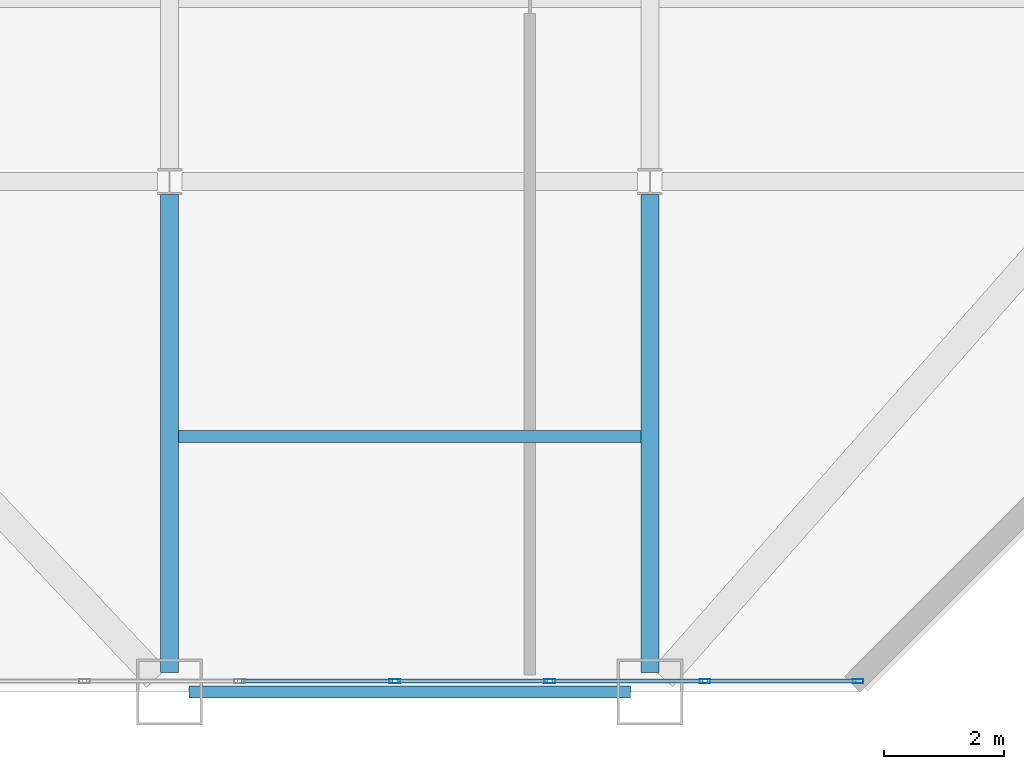
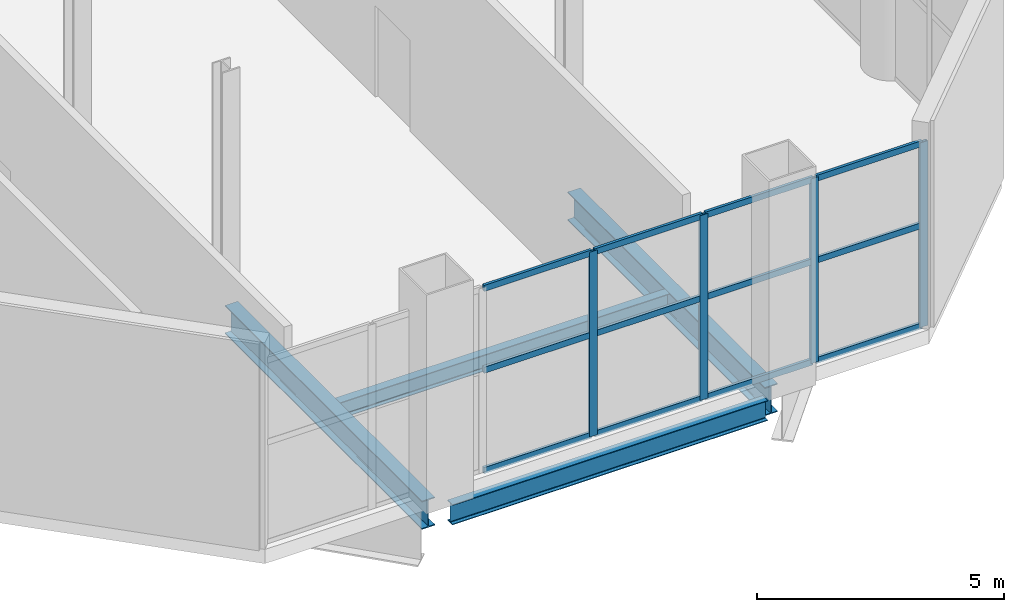
# One storey, part 7 of 26: 16 members, 4 beams, 1 element without a shape of its own.
"""IFC4 building model written with IfcOpenShell, lengths in metres."""

import ifcopenshell
import ifcopenshell.guid

model = None  # the IFC model being written
_history = None  # IfcOwnerHistory: only IFC2X3 demands one
_inside = {}  # id of a spatial element -> (the spatial element, [elements in it])
_under = {}  # id of a project, library or spatial element -> (it, [spatial elements below it])
_declared = {}  # id of a project -> (the project, [libraries it declares])
_typed = {}  # id of a type object -> (the type object, [elements of that type])
_made_of = {}  # id of a material, layer set ... -> (it, [elements and type objects made of it])


def new_model(schema):
    """Start an empty IFC model of exactly this schema.

    Asked for "IFC4X3", IfcOpenShell would pick the latest addendum, in which some entities
    have other attributes; the version numbers below select the first issue.
    IFC2X3 requires an IfcOwnerHistory on every rooted entity: one is made here for all.
    """
    global model, _history
    if schema == "IFC4X3":
        model = ifcopenshell.file(schema_version=(4, 3, 0, 0))
    else:
        model = ifcopenshell.file(schema=schema)
    _inside.clear()
    _under.clear()
    _declared.clear()
    _typed.clear()
    _made_of.clear()
    _history = None
    if model.schema == "IFC2X3":
        org = make("IfcOrganization", Name="unknown")
        user = make(
            "IfcPersonAndOrganization",
            ThePerson=make("IfcPerson", FamilyName="unknown"),
            TheOrganization=org,
        )
        app = make(
            "IfcApplication",
            ApplicationDeveloper=org,
            Version="unknown",
            ApplicationFullName="unknown",
            ApplicationIdentifier="unknown",
        )
        _history = make(
            "IfcOwnerHistory",
            OwningUser=user,
            OwningApplication=app,
            ChangeAction="ADDED",
            CreationDate=0,
        )
    return model


def make(cls, **values):
    """One entity of the class cls with the attributes given. An attribute that is None is left unset."""
    return model.create_entity(
        cls, **{name: value for name, value in values.items() if value is not None}
    )


def rooted(cls, **values):
    """An entity with a GlobalId (a new one), such as an element, a storey or a relation."""
    return make(cls, GlobalId=ifcopenshell.guid.new(), OwnerHistory=_history, **values)


def si_unit(unit_type, name, prefix=None):
    """IfcSIUnit, for example si_unit("LENGTHUNIT", "METRE", prefix="MILLI")."""
    return make("IfcSIUnit", UnitType=unit_type, Prefix=prefix, Name=name)


def assignment(units):
    """IfcUnitAssignment: the units of a project."""
    return None if units is None else make("IfcUnitAssignment", Units=units)


def point(xyz):
    """IfcCartesianPoint."""
    return None if xyz is None else make("IfcCartesianPoint", Coordinates=xyz)


def direction(xyz):
    """IfcDirection."""
    return None if xyz is None else make("IfcDirection", DirectionRatios=xyz)


def frame(location, z_axis=None, x_axis=None):
    """IfcAxis2Placement3D, a coordinate frame: its origin and axes. An axis left out is left unset."""
    return make(
        "IfcAxis2Placement3D",
        Location=point(location),
        Axis=direction(z_axis),
        RefDirection=direction(x_axis),
    )


def frame_2d(location, x_axis=None):
    """IfcAxis2Placement2D, a coordinate frame in the plane: its origin and x axis."""
    return make(
        "IfcAxis2Placement2D", Location=point(location), RefDirection=direction(x_axis)
    )


def origin():
    """The frame at (0, 0, 0) with its axes left unset."""
    return frame((0.0, 0.0, 0.0))


def origin_2d():
    """The frame at (0, 0) in the plane with its x axis left unset."""
    return frame_2d((0.0, 0.0))


def place(relative_to, where):
    """IfcLocalPlacement: puts the frame where relative to a parent placement (None: the world)."""
    return make(
        "IfcLocalPlacement", PlacementRelTo=relative_to, RelativePlacement=where
    )


def context(
    kind, dimensions, precision=None, world=None, true_north=None, identifier=None
):
    """IfcGeometricRepresentationContext, for example the 3D "Model" context."""
    return make(
        "IfcGeometricRepresentationContext",
        ContextIdentifier=identifier,
        ContextType=kind,
        CoordinateSpaceDimension=dimensions,
        Precision=precision,
        WorldCoordinateSystem=world,
        TrueNorth=true_north,
    )


def subcontext(parent, identifier, kind, view, scale=None):
    """IfcGeometricRepresentationSubContext, for example "Body" below "Model"."""
    return make(
        "IfcGeometricRepresentationSubContext",
        ContextIdentifier=identifier,
        ContextType=kind,
        ParentContext=parent,
        TargetScale=scale,
        TargetView=view,
    )


def project(units=None, contexts=None):
    """IfcProject with its units and contexts."""
    return rooted(
        "IfcProject",
        Name="project",
        RepresentationContexts=contexts,
        UnitsInContext=assignment(units),
    )


def spatial(cls, under=None, at=None, **own):
    """A site, building, storey or space (cls), placed at a placement, below another one or the project."""
    s = rooted(cls, ObjectPlacement=at, **own)
    if under is not None:
        _under.setdefault(under.id(), (under, []))[1].append(s)
    return s


def profile(cls, at=None, kind="AREA", **sizes):
    """A parametric profile (cls). Its sizes go by their IFC names, for example OverallWidth=200.0."""
    return make(cls, ProfileType=kind, Position=at, **sizes)


def hollow_rectangle(**sizes):
    """IfcRectangleHollowProfileDef."""
    return profile("IfcRectangleHollowProfileDef", **sizes)


def i_section(**sizes):
    """IfcIShapeProfileDef."""
    return profile("IfcIShapeProfileDef", **sizes)


def extrude(swept, where, along, depth):
    """IfcExtrudedAreaSolid: the profile swept, set in the frame where, extruded along a direction by depth."""
    return make(
        "IfcExtrudedAreaSolid",
        SweptArea=swept,
        Position=where,
        ExtrudedDirection=direction(along),
        Depth=depth,
    )


def shape(context_of_items, identifier, shape_type, items):
    """IfcShapeRepresentation: the items that make up one representation, for example the "Body"."""
    return make(
        "IfcShapeRepresentation",
        ContextOfItems=context_of_items,
        RepresentationIdentifier=identifier,
        RepresentationType=shape_type,
        Items=items,
    )


def material(Name=None, Category=None):
    """IfcMaterial."""
    return make("IfcMaterial", Name=Name, Category=Category)


def layer(
    of_material, thickness, ventilated=None, Name=None, Category=None, Priority=None
):
    """IfcMaterialLayer: one layer of a wall or slab, of a material (None: an air gap)."""
    return make(
        "IfcMaterialLayer",
        Material=of_material,
        LayerThickness=thickness,
        IsVentilated=ventilated,
        Name=Name,
        Category=Category,
        Priority=Priority,
    )


def layer_set(layers, Name=None):
    """IfcMaterialLayerSet."""
    return make("IfcMaterialLayerSet", MaterialLayers=layers, LayerSetName=Name)


def material_profile(
    of_material, cross_section, Name=None, Category=None, Priority=None
):
    """IfcMaterialProfile: a cross section and its material."""
    return make(
        "IfcMaterialProfile",
        Name=Name,
        Material=of_material,
        Profile=cross_section,
        Priority=Priority,
        Category=Category,
    )


def profile_set(profiles, Name=None, composite=None):
    """IfcMaterialProfileSet."""
    return make(
        "IfcMaterialProfileSet",
        Name=Name,
        MaterialProfiles=profiles,
        CompositeProfile=composite,
    )


def made_of(thing, what):
    """Note that an element or type object is made of a material, layer set ...; save() writes the relation."""
    if what is not None:
        _made_of.setdefault(what.id(), (what, []))[1].append(thing)
    return thing


def type_object(cls, material=None, **own):
    """A type object (cls), such as IfcWallType, which elements share."""
    return made_of(rooted(cls, **own), material)


def element(
    cls,
    number,
    at=None,
    inside=None,
    cuts=None,
    type_object=None,
    material=None,
    context=None,
    identifier="Body",
    shape_type=None,
    held_by="IfcProductDefinitionShape",
    body=None,
    shapes=None,
    **own,
):
    """One element of the class cls, such as IfcWall. Its Tag is "e" and its number.

    at: its placement. inside: the storey or other place that contains it. cuts: it is an
    opening in that element (IfcRelVoidsElement). A single representation is given by context,
    identifier, shape_type and body (its items); several are given by shapes. held_by: the class
    of the entity that holds the representations. save() writes the other relations.
    """
    e = rooted(cls, Tag="e%d" % number, ObjectPlacement=at, **own)
    if body is not None:
        shapes = [shape(context, identifier, shape_type, body)]
    if shapes is not None:
        e.Representation = make(held_by, Representations=shapes)
    if inside is not None:
        _inside.setdefault(inside.id(), (inside, []))[1].append(e)
    if cuts is not None:
        rooted(
            "IfcRelVoidsElement", RelatingBuildingElement=cuts, RelatedOpeningElement=e
        )
    if type_object is not None:
        _typed.setdefault(type_object.id(), (type_object, []))[1].append(e)
    return made_of(e, material)


def aggregate(whole, parts):
    """IfcRelAggregates: a whole, such as a stair, and the parts it consists of."""
    return rooted("IfcRelAggregates", RelatingObject=whole, RelatedObjects=parts)


def save(model, path):
    """Write the relations noted so far, then the file.

    IfcRelAggregates (storeys below a building ...), IfcRelContainedInSpatialStructure (elements
    in a storey), IfcRelDefinesByType, IfcRelAssociatesMaterial and IfcRelDeclares: one each for
    every whole, place, type object, material and project.
    """
    for whole, parts in _under.values():
        aggregate(whole, parts)
    for where, things in _inside.values():
        rooted(
            "IfcRelContainedInSpatialStructure",
            RelatedElements=things,
            RelatingStructure=where,
        )
    for kind, things in _typed.values():
        rooted("IfcRelDefinesByType", RelatedObjects=things, RelatingType=kind)
    for what, things in _made_of.values():
        rooted("IfcRelAssociatesMaterial", RelatedObjects=things, RelatingMaterial=what)
    for by, libraries in _declared.values():
        rooted("IfcRelDeclares", RelatingContext=by, RelatedDefinitions=libraries)
    model.write(path)


model = new_model("IFC4")

# Units and contexts
model_context = context("Model", 3, precision=1e-05, world=origin(), true_north=direction((0.0, 1.0)))
body_context = subcontext(model_context, "Body", "Model", "MODEL_VIEW")
ifc_project = project(units=[si_unit("LENGTHUNIT", "METRE"), si_unit("AREAUNIT", "SQUARE_METRE"), si_unit("VOLUMEUNIT", "CUBIC_METRE"), si_unit("PLANEANGLEUNIT", "RADIAN"), si_unit("MASSUNIT", "GRAM", prefix="KILO")], contexts=[model_context])

# Site, building, storey
site_placement = place(None, origin())
site = spatial("IfcSite", under=ifc_project, at=site_placement, CompositionType="ELEMENT")
building_placement = place(site_placement, origin())
building = spatial("IfcBuilding", under=site, at=building_placement, Name="Qianrong Seaharbour Tower", CompositionType="ELEMENT")
storey_placement = place(building_placement, frame((0.0, 0.0, 108.199951171875)))
storey = spatial("IfcBuildingStorey", under=building, at=storey_placement, Name="L26", CompositionType="ELEMENT", Elevation=108.199951171875)

# Beams
ifc_material_1 = material(Name="Structural steel SN490B", Category="steel")
ifc_material_profile_1 = material_profile(ifc_material_1, i_section(OverallWidth=0.300048828125, OverallDepth=0.699951171875, WebThickness=0.012939453125, FlangeThickness=0.02392578125, FilletRadius=0.02587890625, at=origin_2d()), Name="H700x300x13x24")
ifc_profile_set_1 = profile_set([ifc_material_profile_1], Name="Structural steel SN490B")
beam_type_1 = type_object("IfcBeamType", Name="BM-G-700", PredefinedType="BEAM", material=ifc_profile_set_1)
for number, where, z_axis, x_axis, name in (
    (1, (48.5, 4.320068359375, -0.699951171875), (0.0, 1.0, 0.0), (-1.0, 0.0, 0.0), "L26 Primary Girder G7 GB-GC"),
    (2, (56.5, 4.320068359375, -0.699951171875), (0.0, 1.0, 0.0), (-1.0, 0.0, 0.0), "L26 Primary Girder G8 GB-GC"),
):
    element("IfcBeam", number, at=place(storey_placement, frame(where, z_axis=z_axis, x_axis=x_axis)), inside=storey, type_object=beam_type_1, Name=name, PredefinedType="BEAM", context=body_context, shape_type="SweptSolid", body=[
        extrude(i_section(OverallWidth=0.300048828125, OverallDepth=0.699951171875, WebThickness=0.012939453125, FlangeThickness=0.02392578125, FilletRadius=0.02587890625, at=origin_2d()), origin(), (0.0, 0.0, 1.0), 7.9658203125),
    ])
ifc_material_2 = material(Name="Structural steel SN400B", Category="steel")
ifc_material_profile_2 = material_profile(ifc_material_2, i_section(OverallWidth=0.199951171875, OverallDepth=0.39990234375, WebThickness=0.008056640625, FlangeThickness=0.012939453125, FilletRadius=0.01611328125, at=origin_2d()), Name="H400x200x8x13")
ifc_profile_set_2 = profile_set([ifc_material_profile_2], Name="Structural steel SN400B")
beam_type_2 = type_object("IfcBeamType", Name="BM-J-400", PredefinedType="JOIST", material=ifc_profile_set_2)
beam_1_placement = place(storey_placement, frame((48.64990234375, 8.25, -0.550048828125), z_axis=(1.0, 0.0, 0.0), x_axis=(0.0, 1.0, 0.0)))
element("IfcBeam", 3, at=beam_1_placement, inside=storey, type_object=beam_type_2, Name="L26 Composite Floor Joist G7-G8/GB-GC", PredefinedType="JOIST", context=body_context, shape_type="SweptSolid", body=[
    extrude(i_section(OverallWidth=0.199951171875, OverallDepth=0.39990234375, WebThickness=0.008056640625, FlangeThickness=0.012939453125, FilletRadius=0.01611328125, at=origin_2d()), origin(), (0.0, 0.0, 1.0), 7.7001953125),
])
ifc_material_profile_3 = material_profile(ifc_material_1, i_section(OverallWidth=0.199951171875, OverallDepth=0.5, WebThickness=0.010009765625, FlangeThickness=0.01611328125, FilletRadius=0.02001953125, at=origin_2d()), Name="H500x200x10x16")
ifc_profile_set_3 = profile_set([ifc_material_profile_3], Name="Structural steel SN490B")
beam_type_3 = type_object("IfcBeamType", Name="BM-SP-500", PredefinedType="SPANDREL", material=ifc_profile_set_3)
beam_2_placement = place(storey_placement, frame((48.820068359375, 4.0, -0.599853515625), z_axis=(1.0, 0.0, 0.0), x_axis=(0.0, 1.0, 0.0)))
element("IfcBeam", 4, at=beam_2_placement, inside=storey, type_object=beam_type_3, Name="L26 Spandrel Girder GB G7-G8", PredefinedType="SPANDREL", context=body_context, shape_type="SweptSolid", body=[
    extrude(i_section(OverallWidth=0.199951171875, OverallDepth=0.5, WebThickness=0.010009765625, FlangeThickness=0.01611328125, FilletRadius=0.02001953125, at=origin_2d()), origin(), (0.0, 0.0, 1.0), 7.35986328125),
])

# Curtain wall, members
ifc_material_3 = material(Name="Anodised aluminium 6063-T6 and laminated low-e glass", Category="aluminium")
ifc_layer = layer(ifc_material_3, 0.18505859375)
ifc_layer_set = layer_set([ifc_layer], Name="Anodised aluminium 6063-T6 and laminated low-e glass")
curtain_wall_type = type_object("IfcCurtainWallType", Name="CW-SYS-4", PredefinedType="NOTDEFINED", material=ifc_layer_set)
curtain_wall_placement = place(storey_placement, origin())
curtain_wall = element("IfcCurtainWall", 5, at=curtain_wall_placement, inside=storey, type_object=curtain_wall_type, Name="L26 Refuge Acoustic Louvre Curtain Wall SOUTH_TIP", PredefinedType="NOTDEFINED")
ifc_material_4 = material(Name="Extruded aluminium 6063-T6", Category="aluminium")
ifc_material_profile_4 = material_profile(ifc_material_4, hollow_rectangle(XDim=0.070068359375, YDim=0.179931640625, WallThickness=0.00390625, at=origin_2d()), Name="ALU-MUL-180x70x4")
ifc_profile_set_4 = profile_set([ifc_material_profile_4], Name="Extruded aluminium 6063-T6")
member_type_1 = type_object("IfcMemberType", Name="CW-MUL-180", PredefinedType="MULLION", material=ifc_profile_set_4)
member_1_placement = place(storey_placement, frame((59.965087890625, 4.179931640625, 0.0), z_axis=(0.0, 0.0, 1.0), x_axis=(0.0, -1.0, 0.0)))
member_1 = element("IfcMember", 6, at=member_1_placement, type_object=member_type_1, Name="CW-4 mullion 1", PredefinedType="MULLION", context=body_context, shape_type="SweptSolid", body=[
    extrude(hollow_rectangle(XDim=0.070068359375, YDim=0.179931640625, WallThickness=0.00390625, at=origin_2d()), origin(), (0.0, 0.0, 1.0), 4.56005859375),
])
member_2_placement = place(storey_placement, frame((57.416748046875, 4.179931640625, 0.0), z_axis=(0.0, 0.0, 1.0), x_axis=(0.0, -1.0, 0.0)))
member_2 = element("IfcMember", 7, at=member_2_placement, type_object=member_type_1, Name="CW-4 mullion 2", PredefinedType="MULLION", context=body_context, shape_type="SweptSolid", body=[
    extrude(hollow_rectangle(XDim=0.070068359375, YDim=0.179931640625, WallThickness=0.00390625, at=origin_2d()), origin(), (0.0, 0.0, 1.0), 4.56005859375),
])
member_3_placement = place(storey_placement, frame((54.833251953125, 4.179931640625, 0.0), z_axis=(0.0, 0.0, 1.0), x_axis=(0.0, -1.0, 0.0)))
member_3 = element("IfcMember", 8, at=member_3_placement, type_object=member_type_1, Name="CW-4 mullion 3", PredefinedType="MULLION", context=body_context, shape_type="SweptSolid", body=[
    extrude(hollow_rectangle(XDim=0.070068359375, YDim=0.179931640625, WallThickness=0.00390625, at=origin_2d()), origin(), (0.0, 0.0, 1.0), 4.56005859375),
])
member_4_placement = place(storey_placement, frame((52.25, 4.179931640625, 0.0), z_axis=(0.0, 0.0, 1.0), x_axis=(0.0, -1.0, 0.0)))
member_4 = element("IfcMember", 9, at=member_4_placement, type_object=member_type_1, Name="CW-4 mullion 4", PredefinedType="MULLION", context=body_context, shape_type="SweptSolid", body=[
    extrude(hollow_rectangle(XDim=0.070068359375, YDim=0.179931640625, WallThickness=0.00390625, at=origin_2d()), origin(), (0.0, 0.0, 1.0), 4.56005859375),
])
ifc_material_profile_5 = material_profile(ifc_material_4, hollow_rectangle(XDim=0.06494140625, YDim=0.14990234375, WallThickness=0.00390625, at=origin_2d()), Name="ALU-TRN-150x65x4")
ifc_profile_set_5 = profile_set([ifc_material_profile_5], Name="Extruded aluminium 6063-T6")
member_type_2 = type_object("IfcMemberType", Name="CW-TRN-150", PredefinedType="USERDEFINED", material=ifc_profile_set_5)
member_5_placement = place(storey_placement, frame((59.929931640625, 4.179931640625, 0.032470703125), z_axis=(-1.0, 0.0, 0.0), x_axis=(0.0, -1.0, 0.0)))
member_5 = element("IfcMember", 10, at=member_5_placement, type_object=member_type_2, Name="CW-4 transom 1.1", ObjectType="TRANSOM", PredefinedType="USERDEFINED", context=body_context, shape_type="SweptSolid", body=[
    extrude(hollow_rectangle(XDim=0.06494140625, YDim=0.14990234375, WallThickness=0.00390625, at=origin_2d()), origin(), (0.0, 0.0, 1.0), 2.478271484375),
])
member_6_placement = place(storey_placement, frame((59.929931640625, 4.179931640625, 2.508056640625), z_axis=(-1.0, 0.0, 0.0), x_axis=(0.0, -1.0, 0.0)))
member_6 = element("IfcMember", 11, at=member_6_placement, type_object=member_type_2, Name="CW-4 transom 1.2", ObjectType="TRANSOM", PredefinedType="USERDEFINED", context=body_context, shape_type="SweptSolid", body=[
    extrude(hollow_rectangle(XDim=0.06494140625, YDim=0.14990234375, WallThickness=0.00390625, at=origin_2d()), origin(), (0.0, 0.0, 1.0), 2.478271484375),
])
member_7_placement = place(storey_placement, frame((59.929931640625, 4.179931640625, 4.527587890625), z_axis=(-1.0, 0.0, 0.0), x_axis=(0.0, -1.0, 0.0)))
member_7 = element("IfcMember", 12, at=member_7_placement, type_object=member_type_2, Name="CW-4 transom 1.3", ObjectType="TRANSOM", PredefinedType="USERDEFINED", context=body_context, shape_type="SweptSolid", body=[
    extrude(hollow_rectangle(XDim=0.06494140625, YDim=0.14990234375, WallThickness=0.00390625, at=origin_2d()), origin(), (0.0, 0.0, 1.0), 2.478271484375),
])
member_8_placement = place(storey_placement, frame((57.381591796875, 4.179931640625, 0.032470703125), z_axis=(-1.0, 0.0, 0.0), x_axis=(0.0, -1.0, 0.0)))
member_8 = element("IfcMember", 13, at=member_8_placement, type_object=member_type_2, Name="CW-4 transom 2.1", ObjectType="TRANSOM", PredefinedType="USERDEFINED", context=body_context, shape_type="SweptSolid", body=[
    extrude(hollow_rectangle(XDim=0.06494140625, YDim=0.14990234375, WallThickness=0.00390625, at=origin_2d()), origin(), (0.0, 0.0, 1.0), 2.51318359375),
])
member_9_placement = place(storey_placement, frame((57.381591796875, 4.179931640625, 2.508056640625), z_axis=(-1.0, 0.0, 0.0), x_axis=(0.0, -1.0, 0.0)))
member_9 = element("IfcMember", 14, at=member_9_placement, type_object=member_type_2, Name="CW-4 transom 2.2", ObjectType="TRANSOM", PredefinedType="USERDEFINED", context=body_context, shape_type="SweptSolid", body=[
    extrude(hollow_rectangle(XDim=0.06494140625, YDim=0.14990234375, WallThickness=0.00390625, at=origin_2d()), origin(), (0.0, 0.0, 1.0), 2.51318359375),
])
member_10_placement = place(storey_placement, frame((57.381591796875, 4.179931640625, 4.527587890625), z_axis=(-1.0, 0.0, 0.0), x_axis=(0.0, -1.0, 0.0)))
member_10 = element("IfcMember", 15, at=member_10_placement, type_object=member_type_2, Name="CW-4 transom 2.3", ObjectType="TRANSOM", PredefinedType="USERDEFINED", context=body_context, shape_type="SweptSolid", body=[
    extrude(hollow_rectangle(XDim=0.06494140625, YDim=0.14990234375, WallThickness=0.00390625, at=origin_2d()), origin(), (0.0, 0.0, 1.0), 2.51318359375),
])
member_11_placement = place(storey_placement, frame((54.79833984375, 4.179931640625, 0.032470703125), z_axis=(-1.0, 0.0, 0.0), x_axis=(0.0, -1.0, 0.0)))
member_11 = element("IfcMember", 16, at=member_11_placement, type_object=member_type_2, Name="CW-4 transom 3.1", ObjectType="TRANSOM", PredefinedType="USERDEFINED", context=body_context, shape_type="SweptSolid", body=[
    extrude(hollow_rectangle(XDim=0.06494140625, YDim=0.14990234375, WallThickness=0.00390625, at=origin_2d()), origin(), (0.0, 0.0, 1.0), 2.513427734375),
])
member_12_placement = place(storey_placement, frame((54.79833984375, 4.179931640625, 2.508056640625), z_axis=(-1.0, 0.0, 0.0), x_axis=(0.0, -1.0, 0.0)))
member_12 = element("IfcMember", 17, at=member_12_placement, type_object=member_type_2, Name="CW-4 transom 3.2", ObjectType="TRANSOM", PredefinedType="USERDEFINED", context=body_context, shape_type="SweptSolid", body=[
    extrude(hollow_rectangle(XDim=0.06494140625, YDim=0.14990234375, WallThickness=0.00390625, at=origin_2d()), origin(), (0.0, 0.0, 1.0), 2.513427734375),
])
member_13_placement = place(storey_placement, frame((54.79833984375, 4.179931640625, 4.527587890625), z_axis=(-1.0, 0.0, 0.0), x_axis=(0.0, -1.0, 0.0)))
member_13 = element("IfcMember", 18, at=member_13_placement, type_object=member_type_2, Name="CW-4 transom 3.3", ObjectType="TRANSOM", PredefinedType="USERDEFINED", context=body_context, shape_type="SweptSolid", body=[
    extrude(hollow_rectangle(XDim=0.06494140625, YDim=0.14990234375, WallThickness=0.00390625, at=origin_2d()), origin(), (0.0, 0.0, 1.0), 2.513427734375),
])
member_14_placement = place(storey_placement, frame((52.215087890625, 4.179931640625, 0.032470703125), z_axis=(-1.0, 0.0, 0.0), x_axis=(0.0, -1.0, 0.0)))
member_14 = element("IfcMember", 19, at=member_14_placement, type_object=member_type_2, Name="CW-4 transom 4.1", ObjectType="TRANSOM", PredefinedType="USERDEFINED", context=body_context, shape_type="SweptSolid", body=[
    extrude(hollow_rectangle(XDim=0.06494140625, YDim=0.14990234375, WallThickness=0.00390625, at=origin_2d()), origin(), (0.0, 0.0, 1.0), 2.513427734375),
])
member_15_placement = place(storey_placement, frame((52.215087890625, 4.179931640625, 2.508056640625), z_axis=(-1.0, 0.0, 0.0), x_axis=(0.0, -1.0, 0.0)))
member_15 = element("IfcMember", 20, at=member_15_placement, type_object=member_type_2, Name="CW-4 transom 4.2", ObjectType="TRANSOM", PredefinedType="USERDEFINED", context=body_context, shape_type="SweptSolid", body=[
    extrude(hollow_rectangle(XDim=0.06494140625, YDim=0.14990234375, WallThickness=0.00390625, at=origin_2d()), origin(), (0.0, 0.0, 1.0), 2.513427734375),
])
member_16_placement = place(storey_placement, frame((52.215087890625, 4.179931640625, 4.527587890625), z_axis=(-1.0, 0.0, 0.0), x_axis=(0.0, -1.0, 0.0)))
member_16 = element("IfcMember", 21, at=member_16_placement, type_object=member_type_2, Name="CW-4 transom 4.3", ObjectType="TRANSOM", PredefinedType="USERDEFINED", context=body_context, shape_type="SweptSolid", body=[
    extrude(hollow_rectangle(XDim=0.06494140625, YDim=0.14990234375, WallThickness=0.00390625, at=origin_2d()), origin(), (0.0, 0.0, 1.0), 2.513427734375),
])
aggregate(curtain_wall, [member_1, member_2, member_3, member_4, member_5, member_6, member_7, member_8, member_9, member_10, member_11, member_12, member_13, member_14, member_15, member_16])

save(model, "model.ifc")
